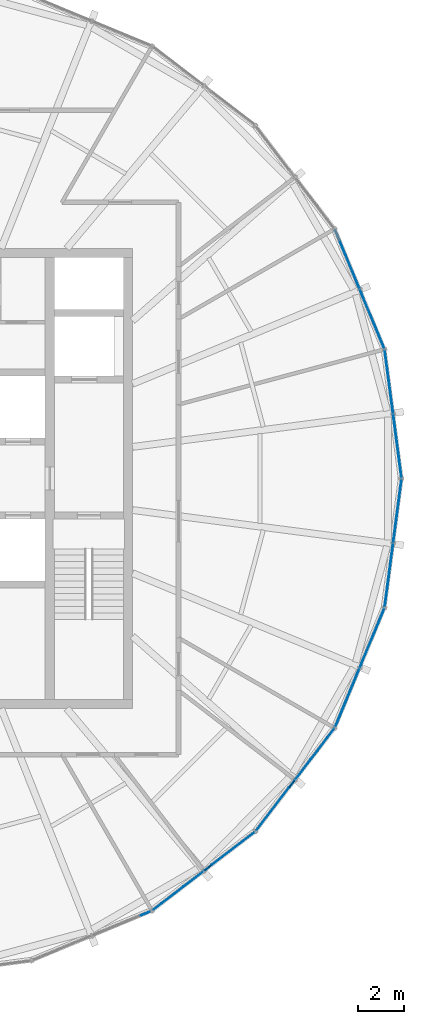
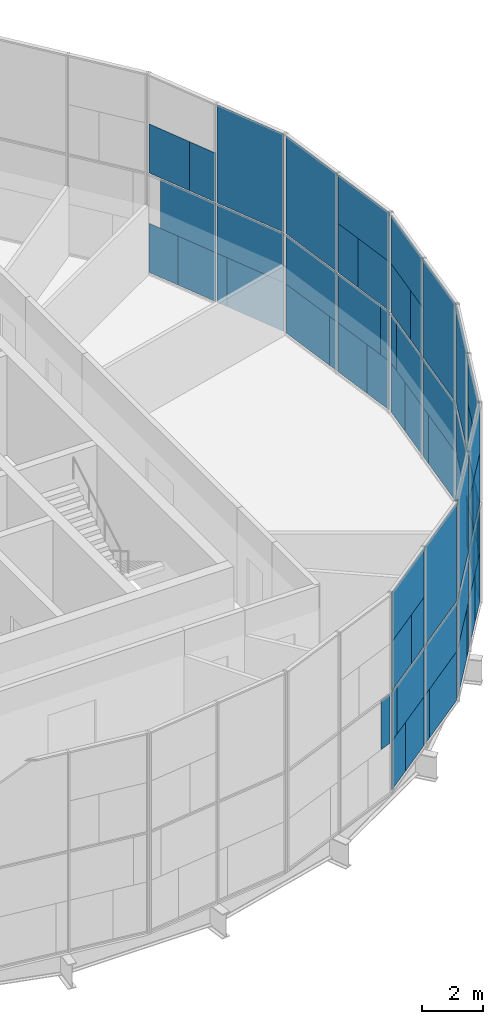
# One storey, part 12 of 18: 65 plates, 7 elements without a shape of their own.
"""IFC4 building model written with IfcOpenShell, lengths in metres."""

from ifc_helpers import new_model, si_unit, direction, frame, origin, origin_2d, place, context, subcontext, project, spatial, rectangle, extrude, material, layer, layer_set, type_object, element, aggregate, save


model = new_model("IFC4")

# Units and contexts
model_context = context("Model", 3, precision=1e-05, world=origin(), true_north=direction((0.0, 1.0)))
body_context = subcontext(model_context, "Body", "Model", "MODEL_VIEW")
ifc_project = project(units=[si_unit("LENGTHUNIT", "METRE"), si_unit("AREAUNIT", "SQUARE_METRE"), si_unit("VOLUMEUNIT", "CUBIC_METRE"), si_unit("PLANEANGLEUNIT", "RADIAN"), si_unit("MASSUNIT", "GRAM", prefix="KILO")], contexts=[model_context])

# Site, building, storey
site_placement = place(None, origin())
site = spatial("IfcSite", under=ifc_project, at=site_placement, CompositionType="ELEMENT")
building_placement = place(site_placement, origin())
building = spatial("IfcBuilding", under=site, at=building_placement, Name="Golbaran Civic Tower", CompositionType="ELEMENT")
storey_placement = place(building_placement, frame((0.0, 0.0, 272.0)))
storey = spatial("IfcBuildingStorey", under=building, at=storey_placement, Name="L66", CompositionType="ELEMENT", Elevation=272.0)

# Curtain wall, plates
ifc_material_1 = material(Name="Aluminium and glass", Category="aluminium")
curtain_wall_type = type_object("IfcCurtainWallType", Name="INNER SKIN CURTAIN WALL EXECUTIVE", PredefinedType="NOTDEFINED", material=ifc_material_1)
curtain_wall_1_placement = place(storey_placement, origin())
curtain_wall_1 = element("IfcCurtainWall", 1, at=curtain_wall_1_placement, inside=storey, type_object=curtain_wall_type, Name="Inner skin L66 facet 1 CW2", ObjectType="INNER SKIN", PredefinedType="USERDEFINED")
ifc_material_2 = material(Name="Clear insulating glass", Category="glass")
ifc_layer_1 = layer(ifc_material_2, 0.031982421875, Name="Clear insulating glass")
ifc_layer_set_1 = layer_set([ifc_layer_1], Name="Clear insulating glass")
plate_type_1 = type_object("IfcPlateType", Name="INNER SKIN CURTAIN WALL EXECUTIVE GLAZED PANEL", PredefinedType="CURTAIN_PANEL", material=ifc_layer_set_1)
plate_1_placement = place(storey_placement, frame((21.614013671875, 0.64599609375, 0.06005859375), z_axis=(0.0, 0.0, 1.0), x_axis=(-0.130526192151, 0.991444861383, 0.0)))
plate_1 = element("IfcPlate", 2, at=plate_1_placement, type_object=plate_type_1, Name="CW2 panel 1.1 part 1", PredefinedType="CURTAIN_PANEL", context=body_context, shape_type="SweptSolid", body=[
    extrude(rectangle(XDim=1.18310546875, YDim=0.031982421875, at=origin_2d()), origin(), (0.0, 0.0, 1.0), 1.955078125),
])
plate_2_placement = place(storey_placement, frame((21.6611328125, 0.28759765625, 2.014892578125), z_axis=(0.0, 0.0, 1.0), x_axis=(-0.130526192151, 0.991444861383, 0.0)))
plate_2 = element("IfcPlate", 3, at=plate_2_placement, type_object=plate_type_1, Name="CW2 panel 1.1 part 3", PredefinedType="CURTAIN_PANEL", context=body_context, shape_type="SweptSolid", body=[
    extrude(rectangle(XDim=0.4599609375, YDim=0.031982421875, at=origin_2d()), origin(), (0.0, 0.0, 1.0), 1.955078125),
])
plate_3_placement = place(storey_placement, frame((21.403076171875, 2.247314453125, 4.030029296875), z_axis=(0.0, 0.0, 1.0), x_axis=(-0.130526192151, 0.991444861383, 0.0)))
plate_3 = element("IfcPlate", 4, at=plate_3_placement, type_object=plate_type_1, Name="CW2 panel 1.2 part 2", PredefinedType="CURTAIN_PANEL", context=body_context, shape_type="SweptSolid", body=[
    extrude(rectangle(XDim=1.0712890625, YDim=0.031982421875, at=origin_2d()), origin(), (0.0, 0.0, 1.0), 1.955078125),
])
plate_4_placement = place(storey_placement, frame((21.120361328125, 4.39599609375, 0.06005859375), z_axis=(0.0, 0.0, 1.0), x_axis=(-0.130526192151, 0.991444861383, 0.0)))
plate_4 = element("IfcPlate", 5, at=plate_4_placement, type_object=plate_type_1, Name="CW2 panel 2.1 part 2", PredefinedType="CURTAIN_PANEL", context=body_context, shape_type="SweptSolid", body=[
    extrude(rectangle(XDim=2.34130859375, YDim=0.031982421875, at=origin_2d()), origin(), (0.0, 0.0, 1.0), 1.955078125),
])
plate_5_placement = place(storey_placement, frame((21.146484375, 4.197265625, 2.014892578125), z_axis=(0.0, 0.0, 1.0), x_axis=(-0.130526192151, 0.991444861383, 0.0)))
plate_5 = element("IfcPlate", 6, at=plate_5_placement, type_object=plate_type_1, Name="CW2 panel 2.1 part 3", PredefinedType="CURTAIN_PANEL", context=body_context, shape_type="SweptSolid", body=[
    extrude(rectangle(XDim=2.7421875, YDim=0.031982421875, at=origin_2d()), origin(), (0.0, 0.0, 1.0), 1.955078125),
])
plate_6_placement = place(storey_placement, frame((21.146484375, 4.197265625, 4.0302734375), z_axis=(0.0, 0.0, 1.0), x_axis=(-0.130526192151, 0.991444861383, 0.0)))
plate_6 = element("IfcPlate", 7, at=plate_6_placement, type_object=plate_type_1, Name="CW2 panel 2.2", PredefinedType="CURTAIN_PANEL", context=body_context, shape_type="SweptSolid", body=[
    extrude(rectangle(XDim=2.7421875, YDim=0.031982421875, at=origin_2d()), origin(), (0.0, 0.0, 1.0), 3.909912109375),
])

curtain_wall_2_placement = place(storey_placement, origin())
curtain_wall_2 = element("IfcCurtainWall", 8, at=curtain_wall_2_placement, inside=storey, type_object=curtain_wall_type, Name="Inner skin L66 facet 2 CW2", ObjectType="INNER SKIN", PredefinedType="USERDEFINED")
plate_7_placement = place(storey_placement, frame((20.48876953125, 6.7529296875, 0.06005859375), z_axis=(0.0, 0.0, 1.0), x_axis=(-0.382683432397, 0.923879532498, 0.0)))
plate_7 = element("IfcPlate", 9, at=plate_7_placement, type_object=plate_type_1, Name="CW2 panel 1.1 part 1", PredefinedType="CURTAIN_PANEL", context=body_context, shape_type="SweptSolid", body=[
    extrude(rectangle(XDim=2.341064453125, YDim=0.031982421875, at=origin_2d()), origin(), (0.0, 0.0, 1.0), 1.955078125),
])
plate_8_placement = place(storey_placement, frame((20.411865234375, 6.938232421875, 2.014892578125), z_axis=(0.0, 0.0, 1.0), x_axis=(-0.382683432397, 0.923879532498, 0.0)))
plate_8 = element("IfcPlate", 10, at=plate_8_placement, type_object=plate_type_1, Name="CW2 panel 1.1 part 3", PredefinedType="CURTAIN_PANEL", context=body_context, shape_type="SweptSolid", body=[
    extrude(rectangle(XDim=2.7421875, YDim=0.031982421875, at=origin_2d()), origin(), (0.0, 0.0, 1.0), 1.955078125),
])
plate_9_placement = place(storey_placement, frame((20.411865234375, 6.938232421875, 4.0302734375), z_axis=(0.0, 0.0, 1.0), x_axis=(-0.382683432397, 0.923879532498, 0.0)))
plate_9 = element("IfcPlate", 11, at=plate_9_placement, type_object=plate_type_1, Name="CW2 panel 1.2", PredefinedType="CURTAIN_PANEL", context=body_context, shape_type="SweptSolid", body=[
    extrude(rectangle(XDim=2.7421875, YDim=0.031982421875, at=origin_2d()), origin(), (0.0, 0.0, 1.0), 3.909912109375),
])
plate_10_placement = place(storey_placement, frame((19.041259765625, 10.24755859375, 0.06005859375), z_axis=(0.0, 0.0, 1.0), x_axis=(-0.382683432397, 0.923879532498, 0.0)))
plate_10 = element("IfcPlate", 12, at=plate_10_placement, type_object=plate_type_1, Name="CW2 panel 2.1 part 2", PredefinedType="CURTAIN_PANEL", context=body_context, shape_type="SweptSolid", body=[
    extrude(rectangle(XDim=1.183349609375, YDim=0.031982421875, at=origin_2d()), origin(), (0.0, 0.0, 1.0), 1.955078125),
])
plate_11_placement = place(storey_placement, frame((19.659423828125, 8.75537109375, 4.030029296875), z_axis=(0.0, 0.0, 1.0), x_axis=(-0.382683432397, 0.923879532498, 0.0)))
plate_11 = element("IfcPlate", 13, at=plate_11_placement, type_object=plate_type_1, Name="CW2 panel 2.2 part 1", PredefinedType="CURTAIN_PANEL", context=body_context, shape_type="SweptSolid", body=[
    extrude(rectangle(XDim=1.071044921875, YDim=0.031982421875, at=origin_2d()), origin(), (0.0, 0.0, 1.0), 1.955078125),
])

# Curtain wall, plate
curtain_wall_3_placement = place(storey_placement, origin())
curtain_wall_3 = element("IfcCurtainWall", 14, at=curtain_wall_3_placement, inside=storey, type_object=curtain_wall_type, Name="Inner skin L66 facet 20 CW2", ObjectType="INNER SKIN", PredefinedType="USERDEFINED")
plate_12_placement = place(storey_placement, frame((10.58154296875, -18.90283203125, 2.014892578125), z_axis=(0.0, 0.0, 1.0), x_axis=(0.923879532498, 0.382683432397, 0.0)))
plate_12 = element("IfcPlate", 15, at=plate_12_placement, type_object=plate_type_1, Name="CW2 panel 2.1 part 4", PredefinedType="CURTAIN_PANEL", context=body_context, shape_type="SweptSolid", body=[
    extrude(rectangle(XDim=0.460205078125, YDim=0.031982421875, at=origin_2d()), origin(), (0.0, 0.0, 1.0), 1.955078125),
])
aggregate(curtain_wall_3, [plate_12])

# Curtain wall, plates
curtain_wall_4_placement = place(storey_placement, origin())
curtain_wall_4 = element("IfcCurtainWall", 16, at=curtain_wall_4_placement, inside=storey, type_object=curtain_wall_type, Name="Inner skin L66 facet 21 CW2", ObjectType="INNER SKIN", PredefinedType="USERDEFINED")
plate_13_placement = place(storey_placement, frame((11.366455078125, -18.395263671875, 0.06005859375), z_axis=(0.0, 0.0, 1.0), x_axis=(0.79335334027, 0.608761429036, 0.0)))
plate_13 = element("IfcPlate", 17, at=plate_13_placement, type_object=plate_type_1, Name="CW2 panel 1.1 part 1", PredefinedType="CURTAIN_PANEL", context=body_context, shape_type="SweptSolid", body=[
    extrude(rectangle(XDim=1.18310546875, YDim=0.031982421875, at=origin_2d()), origin(), (0.0, 0.0, 1.0), 1.955078125),
])
plate_14_placement = place(storey_placement, frame((11.07958984375, -18.615234375, 2.014892578125), z_axis=(0.0, 0.0, 1.0), x_axis=(0.79335334027, 0.608761429036, 0.0)))
plate_14 = element("IfcPlate", 18, at=plate_14_placement, type_object=plate_type_1, Name="CW2 panel 1.1 part 3", PredefinedType="CURTAIN_PANEL", context=body_context, shape_type="SweptSolid", body=[
    extrude(rectangle(XDim=0.4599609375, YDim=0.031982421875, at=origin_2d()), origin(), (0.0, 0.0, 1.0), 1.955078125),
])
plate_15_placement = place(storey_placement, frame((12.647705078125, -17.412109375, 4.030029296875), z_axis=(0.0, 0.0, 1.0), x_axis=(0.79335334027, 0.608761429036, 0.0)))
plate_15 = element("IfcPlate", 19, at=plate_15_placement, type_object=plate_type_1, Name="CW2 panel 1.2 part 2", PredefinedType="CURTAIN_PANEL", context=body_context, shape_type="SweptSolid", body=[
    extrude(rectangle(XDim=1.0712890625, YDim=0.031982421875, at=origin_2d()), origin(), (0.0, 0.0, 1.0), 1.955078125),
])
plate_16_placement = place(storey_placement, frame((14.3671875, -16.0927734375, 0.06005859375), z_axis=(0.0, 0.0, 1.0), x_axis=(0.79335334027, 0.608761429036, 0.0)))
plate_16 = element("IfcPlate", 20, at=plate_16_placement, type_object=plate_type_1, Name="CW2 panel 2.1 part 2", PredefinedType="CURTAIN_PANEL", context=body_context, shape_type="SweptSolid", body=[
    extrude(rectangle(XDim=2.34130859375, YDim=0.031982421875, at=origin_2d()), origin(), (0.0, 0.0, 1.0), 1.955078125),
])
plate_17_placement = place(storey_placement, frame((14.2080078125, -16.21484375, 2.014892578125), z_axis=(0.0, 0.0, 1.0), x_axis=(0.79335334027, 0.608761429036, 0.0)))
plate_17 = element("IfcPlate", 21, at=plate_17_placement, type_object=plate_type_1, Name="CW2 panel 2.1 part 3", PredefinedType="CURTAIN_PANEL", context=body_context, shape_type="SweptSolid", body=[
    extrude(rectangle(XDim=2.7421875, YDim=0.031982421875, at=origin_2d()), origin(), (0.0, 0.0, 1.0), 1.955078125),
])
plate_18_placement = place(storey_placement, frame((14.2080078125, -16.21484375, 4.0302734375), z_axis=(0.0, 0.0, 1.0), x_axis=(0.79335334027, 0.608761429036, 0.0)))
plate_18 = element("IfcPlate", 22, at=plate_18_placement, type_object=plate_type_1, Name="CW2 panel 2.2", PredefinedType="CURTAIN_PANEL", context=body_context, shape_type="SweptSolid", body=[
    extrude(rectangle(XDim=2.7421875, YDim=0.031982421875, at=origin_2d()), origin(), (0.0, 0.0, 1.0), 3.909912109375),
])

curtain_wall_5_placement = place(storey_placement, origin())
curtain_wall_5 = element("IfcCurtainWall", 23, at=curtain_wall_5_placement, inside=storey, type_object=curtain_wall_type, Name="Inner skin L66 facet 22 CW2", ObjectType="INNER SKIN", PredefinedType="USERDEFINED")
plate_19_placement = place(storey_placement, frame((16.092529296875, -14.3671875, 0.06005859375), z_axis=(0.0, 0.0, 1.0), x_axis=(0.608761429036, 0.79335334027, 0.0)))
plate_19 = element("IfcPlate", 24, at=plate_19_placement, type_object=plate_type_1, Name="CW2 panel 1.1 part 1", PredefinedType="CURTAIN_PANEL", context=body_context, shape_type="SweptSolid", body=[
    extrude(rectangle(XDim=2.341064453125, YDim=0.031982421875, at=origin_2d()), origin(), (0.0, 0.0, 1.0), 1.955078125),
])
plate_20_placement = place(storey_placement, frame((16.21484375, -14.2080078125, 2.014892578125), z_axis=(0.0, 0.0, 1.0), x_axis=(0.608761429036, 0.79335334027, 0.0)))
plate_20 = element("IfcPlate", 25, at=plate_20_placement, type_object=plate_type_1, Name="CW2 panel 1.1 part 3", PredefinedType="CURTAIN_PANEL", context=body_context, shape_type="SweptSolid", body=[
    extrude(rectangle(XDim=2.7421875, YDim=0.031982421875, at=origin_2d()), origin(), (0.0, 0.0, 1.0), 1.955078125),
])
plate_21_placement = place(storey_placement, frame((16.21484375, -14.2080078125, 4.0302734375), z_axis=(0.0, 0.0, 1.0), x_axis=(0.608761429036, 0.79335334027, 0.0)))
plate_21 = element("IfcPlate", 26, at=plate_21_placement, type_object=plate_type_1, Name="CW2 panel 1.2", PredefinedType="CURTAIN_PANEL", context=body_context, shape_type="SweptSolid", body=[
    extrude(rectangle(XDim=2.7421875, YDim=0.031982421875, at=origin_2d()), origin(), (0.0, 0.0, 1.0), 3.909912109375),
])
plate_22_placement = place(storey_placement, frame((18.395263671875, -11.366455078125, 0.06005859375), z_axis=(0.0, 0.0, 1.0), x_axis=(0.608761429036, 0.79335334027, 0.0)))
plate_22 = element("IfcPlate", 27, at=plate_22_placement, type_object=plate_type_1, Name="CW2 panel 2.1 part 2", PredefinedType="CURTAIN_PANEL", context=body_context, shape_type="SweptSolid", body=[
    extrude(rectangle(XDim=1.183349609375, YDim=0.031982421875, at=origin_2d()), origin(), (0.0, 0.0, 1.0), 1.955078125),
])
plate_23_placement = place(storey_placement, frame((18.615234375, -11.07958984375, 2.014892578125), z_axis=(0.0, 0.0, 1.0), x_axis=(0.608761429036, 0.79335334027, 0.0)))
plate_23 = element("IfcPlate", 28, at=plate_23_placement, type_object=plate_type_1, Name="CW2 panel 2.1 part 4", PredefinedType="CURTAIN_PANEL", context=body_context, shape_type="SweptSolid", body=[
    extrude(rectangle(XDim=0.460205078125, YDim=0.031982421875, at=origin_2d()), origin(), (0.0, 0.0, 1.0), 1.955078125),
])
plate_24_placement = place(storey_placement, frame((17.411865234375, -12.64794921875, 4.030029296875), z_axis=(0.0, 0.0, 1.0), x_axis=(0.608761429036, 0.79335334027, 0.0)))
plate_24 = element("IfcPlate", 29, at=plate_24_placement, type_object=plate_type_1, Name="CW2 panel 2.2 part 1", PredefinedType="CURTAIN_PANEL", context=body_context, shape_type="SweptSolid", body=[
    extrude(rectangle(XDim=1.071044921875, YDim=0.031982421875, at=origin_2d()), origin(), (0.0, 0.0, 1.0), 1.955078125),
])

curtain_wall_6_placement = place(storey_placement, origin())
curtain_wall_6 = element("IfcCurtainWall", 30, at=curtain_wall_6_placement, inside=storey, type_object=curtain_wall_type, Name="Inner skin L66 facet 23 CW2", ObjectType="INNER SKIN", PredefinedType="USERDEFINED")
plate_25_placement = place(storey_placement, frame((19.041259765625, -10.24755859375, 0.06005859375), z_axis=(0.0, 0.0, 1.0), x_axis=(0.382683432397, 0.923879532498, 0.0)))
plate_25 = element("IfcPlate", 31, at=plate_25_placement, type_object=plate_type_1, Name="CW2 panel 1.1 part 1", PredefinedType="CURTAIN_PANEL", context=body_context, shape_type="SweptSolid", body=[
    extrude(rectangle(XDim=1.18310546875, YDim=0.031982421875, at=origin_2d()), origin(), (0.0, 0.0, 1.0), 1.955078125),
])
plate_26_placement = place(storey_placement, frame((18.90283203125, -10.58154296875, 2.014892578125), z_axis=(0.0, 0.0, 1.0), x_axis=(0.382683432397, 0.923879532498, 0.0)))
plate_26 = element("IfcPlate", 32, at=plate_26_placement, type_object=plate_type_1, Name="CW2 panel 1.1 part 3", PredefinedType="CURTAIN_PANEL", context=body_context, shape_type="SweptSolid", body=[
    extrude(rectangle(XDim=0.4599609375, YDim=0.031982421875, at=origin_2d()), origin(), (0.0, 0.0, 1.0), 1.955078125),
])
plate_27_placement = place(storey_placement, frame((19.6591796875, -8.75537109375, 4.030029296875), z_axis=(0.0, 0.0, 1.0), x_axis=(0.382683432397, 0.923879532498, 0.0)))
plate_27 = element("IfcPlate", 33, at=plate_27_placement, type_object=plate_type_1, Name="CW2 panel 1.2 part 2", PredefinedType="CURTAIN_PANEL", context=body_context, shape_type="SweptSolid", body=[
    extrude(rectangle(XDim=1.0712890625, YDim=0.031982421875, at=origin_2d()), origin(), (0.0, 0.0, 1.0), 1.955078125),
])
plate_28_placement = place(storey_placement, frame((20.48876953125, -6.753173828125, 0.06005859375), z_axis=(0.0, 0.0, 1.0), x_axis=(0.382683432397, 0.923879532498, 0.0)))
plate_28 = element("IfcPlate", 34, at=plate_28_placement, type_object=plate_type_1, Name="CW2 panel 2.1 part 2", PredefinedType="CURTAIN_PANEL", context=body_context, shape_type="SweptSolid", body=[
    extrude(rectangle(XDim=2.34130859375, YDim=0.031982421875, at=origin_2d()), origin(), (0.0, 0.0, 1.0), 1.955078125),
])
plate_29_placement = place(storey_placement, frame((20.411865234375, -6.938232421875, 2.014892578125), z_axis=(0.0, 0.0, 1.0), x_axis=(0.382683432397, 0.923879532498, 0.0)))
plate_29 = element("IfcPlate", 35, at=plate_29_placement, type_object=plate_type_1, Name="CW2 panel 2.1 part 3", PredefinedType="CURTAIN_PANEL", context=body_context, shape_type="SweptSolid", body=[
    extrude(rectangle(XDim=2.7421875, YDim=0.031982421875, at=origin_2d()), origin(), (0.0, 0.0, 1.0), 1.955078125),
])
plate_30_placement = place(storey_placement, frame((20.411865234375, -6.938232421875, 4.0302734375), z_axis=(0.0, 0.0, 1.0), x_axis=(0.382683432397, 0.923879532498, 0.0)))
plate_30 = element("IfcPlate", 36, at=plate_30_placement, type_object=plate_type_1, Name="CW2 panel 2.2", PredefinedType="CURTAIN_PANEL", context=body_context, shape_type="SweptSolid", body=[
    extrude(rectangle(XDim=2.7421875, YDim=0.031982421875, at=origin_2d()), origin(), (0.0, 0.0, 1.0), 3.909912109375),
])

curtain_wall_7_placement = place(storey_placement, origin())
curtain_wall_7 = element("IfcCurtainWall", 37, at=curtain_wall_7_placement, inside=storey, type_object=curtain_wall_type, Name="Inner skin L66 facet 24 CW2", ObjectType="INNER SKIN", PredefinedType="USERDEFINED")
plate_31_placement = place(storey_placement, frame((21.1201171875, -4.396240234375, 0.06005859375), z_axis=(0.0, 0.0, 1.0), x_axis=(0.130526192151, 0.991444861383, 0.0)))
plate_31 = element("IfcPlate", 38, at=plate_31_placement, type_object=plate_type_1, Name="CW2 panel 1.1 part 1", PredefinedType="CURTAIN_PANEL", context=body_context, shape_type="SweptSolid", body=[
    extrude(rectangle(XDim=2.341064453125, YDim=0.031982421875, at=origin_2d()), origin(), (0.0, 0.0, 1.0), 1.955078125),
])
plate_32_placement = place(storey_placement, frame((21.146484375, -4.197265625, 2.014892578125), z_axis=(0.0, 0.0, 1.0), x_axis=(0.130526192151, 0.991444861383, 0.0)))
plate_32 = element("IfcPlate", 39, at=plate_32_placement, type_object=plate_type_1, Name="CW2 panel 1.1 part 3", PredefinedType="CURTAIN_PANEL", context=body_context, shape_type="SweptSolid", body=[
    extrude(rectangle(XDim=2.7421875, YDim=0.031982421875, at=origin_2d()), origin(), (0.0, 0.0, 1.0), 1.955078125),
])
plate_33_placement = place(storey_placement, frame((21.146484375, -4.197265625, 4.0302734375), z_axis=(0.0, 0.0, 1.0), x_axis=(0.130526192151, 0.991444861383, 0.0)))
plate_33 = element("IfcPlate", 40, at=plate_33_placement, type_object=plate_type_1, Name="CW2 panel 1.2", PredefinedType="CURTAIN_PANEL", context=body_context, shape_type="SweptSolid", body=[
    extrude(rectangle(XDim=2.7421875, YDim=0.031982421875, at=origin_2d()), origin(), (0.0, 0.0, 1.0), 3.909912109375),
])
plate_34_placement = place(storey_placement, frame((21.614013671875, -0.64599609375, 0.06005859375), z_axis=(0.0, 0.0, 1.0), x_axis=(0.130526192151, 0.991444861383, 0.0)))
plate_34 = element("IfcPlate", 41, at=plate_34_placement, type_object=plate_type_1, Name="CW2 panel 2.1 part 2", PredefinedType="CURTAIN_PANEL", context=body_context, shape_type="SweptSolid", body=[
    extrude(rectangle(XDim=1.183349609375, YDim=0.031982421875, at=origin_2d()), origin(), (0.0, 0.0, 1.0), 1.955078125),
])
plate_35_placement = place(storey_placement, frame((21.6611328125, -0.28759765625, 2.014892578125), z_axis=(0.0, 0.0, 1.0), x_axis=(0.130526192151, 0.991444861383, 0.0)))
plate_35 = element("IfcPlate", 42, at=plate_35_placement, type_object=plate_type_1, Name="CW2 panel 2.1 part 4", PredefinedType="CURTAIN_PANEL", context=body_context, shape_type="SweptSolid", body=[
    extrude(rectangle(XDim=0.460205078125, YDim=0.031982421875, at=origin_2d()), origin(), (0.0, 0.0, 1.0), 1.955078125),
])
plate_36_placement = place(storey_placement, frame((21.403076171875, -2.247314453125, 4.030029296875), z_axis=(0.0, 0.0, 1.0), x_axis=(0.130526192151, 0.991444861383, 0.0)))
plate_36 = element("IfcPlate", 43, at=plate_36_placement, type_object=plate_type_1, Name="CW2 panel 2.2 part 1", PredefinedType="CURTAIN_PANEL", context=body_context, shape_type="SweptSolid", body=[
    extrude(rectangle(XDim=1.071044921875, YDim=0.031982421875, at=origin_2d()), origin(), (0.0, 0.0, 1.0), 1.955078125),
])

# Plate
ifc_material_3 = material(Name="Aluminium faced opaque infill panel", Category="aluminium")
ifc_layer_2 = layer(ifc_material_3, 0.031982421875, Name="Aluminium faced opaque infill panel")
ifc_layer_set_2 = layer_set([ifc_layer_2], Name="Aluminium faced opaque infill panel")
plate_type_2 = type_object("IfcPlateType", Name="INNER SKIN CURTAIN WALL EXECUTIVE OPAQUE INFILL PANEL", PredefinedType="CURTAIN_PANEL", material=ifc_layer_set_2)
plate_37_placement = place(storey_placement, frame((21.43505859375, 2.00537109375, 0.06005859375), z_axis=(0.0, 0.0, 1.0), x_axis=(-0.130526192151, 0.991444861383, 0.0)))
plate_37 = element("IfcPlate", 44, at=plate_37_placement, type_object=plate_type_2, Name="CW2 infill panel 1.1 part 2", PredefinedType="CURTAIN_PANEL", context=body_context, shape_type="SweptSolid", body=[
    extrude(rectangle(XDim=1.559326171875, YDim=0.031982421875, at=origin_2d()), origin(), (0.0, 0.0, 1.0), 1.955078125),
])

plate_38_placement = place(storey_placement, frame((21.482177734375, 1.64697265625, 2.014892578125), z_axis=(0.0, 0.0, 1.0), x_axis=(-0.130526192151, 0.991444861383, 0.0)))
plate_38 = element("IfcPlate", 45, at=plate_38_placement, type_object=plate_type_2, Name="CW2 infill panel 1.1 part 4", PredefinedType="CURTAIN_PANEL", context=body_context, shape_type="SweptSolid", body=[
    extrude(rectangle(XDim=2.2822265625, YDim=0.031982421875, at=origin_2d()), origin(), (0.0, 0.0, 1.0), 1.955078125),
])

plate_39_placement = place(storey_placement, frame((21.58203125, 0.887939453125, 4.030029296875), z_axis=(0.0, 0.0, 1.0), x_axis=(-0.130526192151, 0.991444861383, 0.0)))
plate_39 = element("IfcPlate", 46, at=plate_39_placement, type_object=plate_type_2, Name="CW2 infill panel 1.2 part 1", PredefinedType="CURTAIN_PANEL", context=body_context, shape_type="SweptSolid", body=[
    extrude(rectangle(XDim=1.6708984375, YDim=0.031982421875, at=origin_2d()), origin(), (0.0, 0.0, 1.0), 1.955078125),
])

plate_40_placement = place(storey_placement, frame((21.51220703125, 1.4189453125, 5.98486328125), z_axis=(0.0, 0.0, 1.0), x_axis=(-0.130526192151, 0.991444861383, 0.0)))
plate_40 = element("IfcPlate", 47, at=plate_40_placement, type_object=plate_type_2, Name="CW2 infill panel 1.2 part 3", PredefinedType="CURTAIN_PANEL", context=body_context, shape_type="SweptSolid", body=[
    extrude(rectangle(XDim=2.7421875, YDim=0.031982421875, at=origin_2d()), origin(), (0.0, 0.0, 1.0), 1.955078125),
])

plate_41_placement = place(storey_placement, frame((21.29931640625, 3.03662109375, 0.06005859375), z_axis=(0.0, 0.0, 1.0), x_axis=(-0.130526192151, 0.991444861383, 0.0)))
plate_41 = element("IfcPlate", 48, at=plate_41_placement, type_object=plate_type_2, Name="CW2 infill panel 2.1 part 1", PredefinedType="CURTAIN_PANEL", context=body_context, shape_type="SweptSolid", body=[
    extrude(rectangle(XDim=0.40087890625, YDim=0.031982421875, at=origin_2d()), origin(), (0.0, 0.0, 1.0), 1.955078125),
])

aggregate(curtain_wall_1, [plate_1, plate_37, plate_2, plate_38, plate_39, plate_3, plate_40, plate_41, plate_4, plate_5, plate_6])

plate_42_placement = place(storey_placement, frame((19.964111328125, 8.019775390625, 0.06005859375), z_axis=(0.0, 0.0, 1.0), x_axis=(-0.382683432397, 0.923879532498, 0.0)))
plate_42 = element("IfcPlate", 49, at=plate_42_placement, type_object=plate_type_2, Name="CW2 infill panel 1.1 part 2", PredefinedType="CURTAIN_PANEL", context=body_context, shape_type="SweptSolid", body=[
    extrude(rectangle(XDim=0.4013671875, YDim=0.031982421875, at=origin_2d()), origin(), (0.0, 0.0, 1.0), 1.955078125),
])

plate_43_placement = place(storey_placement, frame((19.56591796875, 8.980712890625, 0.06005859375), z_axis=(0.0, 0.0, 1.0), x_axis=(-0.382683432397, 0.923879532498, 0.0)))
plate_43 = element("IfcPlate", 50, at=plate_43_placement, type_object=plate_type_2, Name="CW2 infill panel 2.1 part 1", PredefinedType="CURTAIN_PANEL", context=body_context, shape_type="SweptSolid", body=[
    extrude(rectangle(XDim=1.55908203125, YDim=0.031982421875, at=origin_2d()), origin(), (0.0, 0.0, 1.0), 1.955078125),
])

plate_44_placement = place(storey_placement, frame((19.427734375, 9.314697265625, 2.014892578125), z_axis=(0.0, 0.0, 1.0), x_axis=(-0.382683432397, 0.923879532498, 0.0)))
plate_44 = element("IfcPlate", 51, at=plate_44_placement, type_object=plate_type_2, Name="CW2 infill panel 2.1 part 3", PredefinedType="CURTAIN_PANEL", context=body_context, shape_type="SweptSolid", body=[
    extrude(rectangle(XDim=2.281982421875, YDim=0.031982421875, at=origin_2d()), origin(), (0.0, 0.0, 1.0), 1.955078125),
])

plate_45_placement = place(storey_placement, frame((19.134521484375, 10.02197265625, 4.030029296875), z_axis=(0.0, 0.0, 1.0), x_axis=(-0.382683432397, 0.923879532498, 0.0)))
plate_45 = element("IfcPlate", 52, at=plate_45_placement, type_object=plate_type_2, Name="CW2 infill panel 2.2 part 2", PredefinedType="CURTAIN_PANEL", context=body_context, shape_type="SweptSolid", body=[
    extrude(rectangle(XDim=1.67138671875, YDim=0.031982421875, at=origin_2d()), origin(), (0.0, 0.0, 1.0), 1.955078125),
])

aggregate(curtain_wall_2, [plate_7, plate_42, plate_8, plate_9, plate_43, plate_10, plate_44, plate_11, plate_45])

plate_46_placement = place(storey_placement, frame((12.4541015625, -17.560546875, 0.06005859375), z_axis=(0.0, 0.0, 1.0), x_axis=(0.79335334027, 0.608761429036, 0.0)))
plate_46 = element("IfcPlate", 53, at=plate_46_placement, type_object=plate_type_2, Name="CW2 infill panel 1.1 part 2", PredefinedType="CURTAIN_PANEL", context=body_context, shape_type="SweptSolid", body=[
    extrude(rectangle(XDim=1.559326171875, YDim=0.031982421875, at=origin_2d()), origin(), (0.0, 0.0, 1.0), 1.955078125),
])

plate_47_placement = place(storey_placement, frame((12.16748046875, -17.78076171875, 2.014892578125), z_axis=(0.0, 0.0, 1.0), x_axis=(0.79335334027, 0.608761429036, 0.0)))
plate_47 = element("IfcPlate", 54, at=plate_47_placement, type_object=plate_type_2, Name="CW2 infill panel 1.1 part 4", PredefinedType="CURTAIN_PANEL", context=body_context, shape_type="SweptSolid", body=[
    extrude(rectangle(XDim=2.2822265625, YDim=0.031982421875, at=origin_2d()), origin(), (0.0, 0.0, 1.0), 1.955078125),
])

plate_48_placement = place(storey_placement, frame((11.56005859375, -18.246826171875, 4.030029296875), z_axis=(0.0, 0.0, 1.0), x_axis=(0.79335334027, 0.608761429036, 0.0)))
plate_48 = element("IfcPlate", 55, at=plate_48_placement, type_object=plate_type_2, Name="CW2 infill panel 1.2 part 1", PredefinedType="CURTAIN_PANEL", context=body_context, shape_type="SweptSolid", body=[
    extrude(rectangle(XDim=1.6708984375, YDim=0.031982421875, at=origin_2d()), origin(), (0.0, 0.0, 1.0), 1.955078125),
])

plate_49_placement = place(storey_placement, frame((11.98486328125, -17.920654296875, 5.98486328125), z_axis=(0.0, 0.0, 1.0), x_axis=(0.79335334027, 0.608761429036, 0.0)))
plate_49 = element("IfcPlate", 56, at=plate_49_placement, type_object=plate_type_2, Name="CW2 infill panel 1.2 part 3", PredefinedType="CURTAIN_PANEL", context=body_context, shape_type="SweptSolid", body=[
    extrude(rectangle(XDim=2.7421875, YDim=0.031982421875, at=origin_2d()), origin(), (0.0, 0.0, 1.0), 1.955078125),
])

plate_50_placement = place(storey_placement, frame((13.279296875, -16.927490234375, 0.06005859375), z_axis=(0.0, 0.0, 1.0), x_axis=(0.79335334027, 0.608761429036, 0.0)))
plate_50 = element("IfcPlate", 57, at=plate_50_placement, type_object=plate_type_2, Name="CW2 infill panel 2.1 part 1", PredefinedType="CURTAIN_PANEL", context=body_context, shape_type="SweptSolid", body=[
    extrude(rectangle(XDim=0.40087890625, YDim=0.031982421875, at=origin_2d()), origin(), (0.0, 0.0, 1.0), 1.955078125),
])

aggregate(curtain_wall_4, [plate_13, plate_46, plate_14, plate_47, plate_48, plate_15, plate_49, plate_50, plate_16, plate_17, plate_18])

plate_51_placement = place(storey_placement, frame((16.92724609375, -13.279541015625, 0.06005859375), z_axis=(0.0, 0.0, 1.0), x_axis=(0.608761429036, 0.79335334027, 0.0)))
plate_51 = element("IfcPlate", 58, at=plate_51_placement, type_object=plate_type_2, Name="CW2 infill panel 1.1 part 2", PredefinedType="CURTAIN_PANEL", context=body_context, shape_type="SweptSolid", body=[
    extrude(rectangle(XDim=0.4013671875, YDim=0.031982421875, at=origin_2d()), origin(), (0.0, 0.0, 1.0), 1.955078125),
])

plate_52_placement = place(storey_placement, frame((17.560546875, -12.454345703125, 0.06005859375), z_axis=(0.0, 0.0, 1.0), x_axis=(0.608761429036, 0.79335334027, 0.0)))
plate_52 = element("IfcPlate", 59, at=plate_52_placement, type_object=plate_type_2, Name="CW2 infill panel 2.1 part 1", PredefinedType="CURTAIN_PANEL", context=body_context, shape_type="SweptSolid", body=[
    extrude(rectangle(XDim=1.55908203125, YDim=0.031982421875, at=origin_2d()), origin(), (0.0, 0.0, 1.0), 1.955078125),
])

plate_53_placement = place(storey_placement, frame((17.780517578125, -12.16748046875, 2.014892578125), z_axis=(0.0, 0.0, 1.0), x_axis=(0.608761429036, 0.79335334027, 0.0)))
plate_53 = element("IfcPlate", 60, at=plate_53_placement, type_object=plate_type_2, Name="CW2 infill panel 2.1 part 3", PredefinedType="CURTAIN_PANEL", context=body_context, shape_type="SweptSolid", body=[
    extrude(rectangle(XDim=2.281982421875, YDim=0.031982421875, at=origin_2d()), origin(), (0.0, 0.0, 1.0), 1.955078125),
])

plate_54_placement = place(storey_placement, frame((18.24658203125, -11.56005859375, 4.030029296875), z_axis=(0.0, 0.0, 1.0), x_axis=(0.608761429036, 0.79335334027, 0.0)))
plate_54 = element("IfcPlate", 61, at=plate_54_placement, type_object=plate_type_2, Name="CW2 infill panel 2.2 part 2", PredefinedType="CURTAIN_PANEL", context=body_context, shape_type="SweptSolid", body=[
    extrude(rectangle(XDim=1.67138671875, YDim=0.031982421875, at=origin_2d()), origin(), (0.0, 0.0, 1.0), 1.955078125),
])

plate_55_placement = place(storey_placement, frame((17.920654296875, -11.98486328125, 5.98486328125), z_axis=(0.0, 0.0, 1.0), x_axis=(0.608761429036, 0.79335334027, 0.0)))
plate_55 = element("IfcPlate", 62, at=plate_55_placement, type_object=plate_type_2, Name="CW2 infill panel 2.2 part 3", PredefinedType="CURTAIN_PANEL", context=body_context, shape_type="SweptSolid", body=[
    extrude(rectangle(XDim=2.7421875, YDim=0.031982421875, at=origin_2d()), origin(), (0.0, 0.0, 1.0), 1.955078125),
])

aggregate(curtain_wall_5, [plate_19, plate_51, plate_20, plate_21, plate_52, plate_22, plate_53, plate_23, plate_24, plate_54, plate_55])

plate_56_placement = place(storey_placement, frame((19.56591796875, -8.980712890625, 0.06005859375), z_axis=(0.0, 0.0, 1.0), x_axis=(0.382683432397, 0.923879532498, 0.0)))
plate_56 = element("IfcPlate", 63, at=plate_56_placement, type_object=plate_type_2, Name="CW2 infill panel 1.1 part 2", PredefinedType="CURTAIN_PANEL", context=body_context, shape_type="SweptSolid", body=[
    extrude(rectangle(XDim=1.559326171875, YDim=0.031982421875, at=origin_2d()), origin(), (0.0, 0.0, 1.0), 1.955078125),
])

plate_57_placement = place(storey_placement, frame((19.427490234375, -9.314697265625, 2.014892578125), z_axis=(0.0, 0.0, 1.0), x_axis=(0.382683432397, 0.923879532498, 0.0)))
plate_57 = element("IfcPlate", 64, at=plate_57_placement, type_object=plate_type_2, Name="CW2 infill panel 1.1 part 4", PredefinedType="CURTAIN_PANEL", context=body_context, shape_type="SweptSolid", body=[
    extrude(rectangle(XDim=2.2822265625, YDim=0.031982421875, at=origin_2d()), origin(), (0.0, 0.0, 1.0), 1.955078125),
])

plate_58_placement = place(storey_placement, frame((19.134521484375, -10.022216796875, 4.030029296875), z_axis=(0.0, 0.0, 1.0), x_axis=(0.382683432397, 0.923879532498, 0.0)))
plate_58 = element("IfcPlate", 65, at=plate_58_placement, type_object=plate_type_2, Name="CW2 infill panel 1.2 part 1", PredefinedType="CURTAIN_PANEL", context=body_context, shape_type="SweptSolid", body=[
    extrude(rectangle(XDim=1.6708984375, YDim=0.031982421875, at=origin_2d()), origin(), (0.0, 0.0, 1.0), 1.955078125),
])

plate_59_placement = place(storey_placement, frame((19.339599609375, -9.52734375, 5.98486328125), z_axis=(0.0, 0.0, 1.0), x_axis=(0.382683432397, 0.923879532498, 0.0)))
plate_59 = element("IfcPlate", 66, at=plate_59_placement, type_object=plate_type_2, Name="CW2 infill panel 1.2 part 3", PredefinedType="CURTAIN_PANEL", context=body_context, shape_type="SweptSolid", body=[
    extrude(rectangle(XDim=2.7421875, YDim=0.031982421875, at=origin_2d()), origin(), (0.0, 0.0, 1.0), 1.955078125),
])

plate_60_placement = place(storey_placement, frame((19.9638671875, -8.019775390625, 0.06005859375), z_axis=(0.0, 0.0, 1.0), x_axis=(0.382683432397, 0.923879532498, 0.0)))
plate_60 = element("IfcPlate", 67, at=plate_60_placement, type_object=plate_type_2, Name="CW2 infill panel 2.1 part 1", PredefinedType="CURTAIN_PANEL", context=body_context, shape_type="SweptSolid", body=[
    extrude(rectangle(XDim=0.40087890625, YDim=0.031982421875, at=origin_2d()), origin(), (0.0, 0.0, 1.0), 1.955078125),
])

aggregate(curtain_wall_6, [plate_25, plate_56, plate_26, plate_57, plate_58, plate_27, plate_59, plate_60, plate_28, plate_29, plate_30])

plate_61_placement = place(storey_placement, frame((21.29931640625, -3.03662109375, 0.06005859375), z_axis=(0.0, 0.0, 1.0), x_axis=(0.130526192151, 0.991444861383, 0.0)))
plate_61 = element("IfcPlate", 68, at=plate_61_placement, type_object=plate_type_2, Name="CW2 infill panel 1.1 part 2", PredefinedType="CURTAIN_PANEL", context=body_context, shape_type="SweptSolid", body=[
    extrude(rectangle(XDim=0.4013671875, YDim=0.031982421875, at=origin_2d()), origin(), (0.0, 0.0, 1.0), 1.955078125),
])

plate_62_placement = place(storey_placement, frame((21.43505859375, -2.00537109375, 0.06005859375), z_axis=(0.0, 0.0, 1.0), x_axis=(0.130526192151, 0.991444861383, 0.0)))
plate_62 = element("IfcPlate", 69, at=plate_62_placement, type_object=plate_type_2, Name="CW2 infill panel 2.1 part 1", PredefinedType="CURTAIN_PANEL", context=body_context, shape_type="SweptSolid", body=[
    extrude(rectangle(XDim=1.55908203125, YDim=0.031982421875, at=origin_2d()), origin(), (0.0, 0.0, 1.0), 1.955078125),
])

plate_63_placement = place(storey_placement, frame((21.482177734375, -1.64697265625, 2.014892578125), z_axis=(0.0, 0.0, 1.0), x_axis=(0.130526192151, 0.991444861383, 0.0)))
plate_63 = element("IfcPlate", 70, at=plate_63_placement, type_object=plate_type_2, Name="CW2 infill panel 2.1 part 3", PredefinedType="CURTAIN_PANEL", context=body_context, shape_type="SweptSolid", body=[
    extrude(rectangle(XDim=2.281982421875, YDim=0.031982421875, at=origin_2d()), origin(), (0.0, 0.0, 1.0), 1.955078125),
])

plate_64_placement = place(storey_placement, frame((21.58203125, -0.887939453125, 4.030029296875), z_axis=(0.0, 0.0, 1.0), x_axis=(0.130526192151, 0.991444861383, 0.0)))
plate_64 = element("IfcPlate", 71, at=plate_64_placement, type_object=plate_type_2, Name="CW2 infill panel 2.2 part 2", PredefinedType="CURTAIN_PANEL", context=body_context, shape_type="SweptSolid", body=[
    extrude(rectangle(XDim=1.67138671875, YDim=0.031982421875, at=origin_2d()), origin(), (0.0, 0.0, 1.0), 1.955078125),
])

plate_65_placement = place(storey_placement, frame((21.51220703125, -1.4189453125, 5.98486328125), z_axis=(0.0, 0.0, 1.0), x_axis=(0.130526192151, 0.991444861383, 0.0)))
plate_65 = element("IfcPlate", 72, at=plate_65_placement, type_object=plate_type_2, Name="CW2 infill panel 2.2 part 3", PredefinedType="CURTAIN_PANEL", context=body_context, shape_type="SweptSolid", body=[
    extrude(rectangle(XDim=2.7421875, YDim=0.031982421875, at=origin_2d()), origin(), (0.0, 0.0, 1.0), 1.955078125),
])

aggregate(curtain_wall_7, [plate_31, plate_61, plate_32, plate_33, plate_62, plate_34, plate_63, plate_35, plate_36, plate_64, plate_65])

save(model, "model.ifc")
